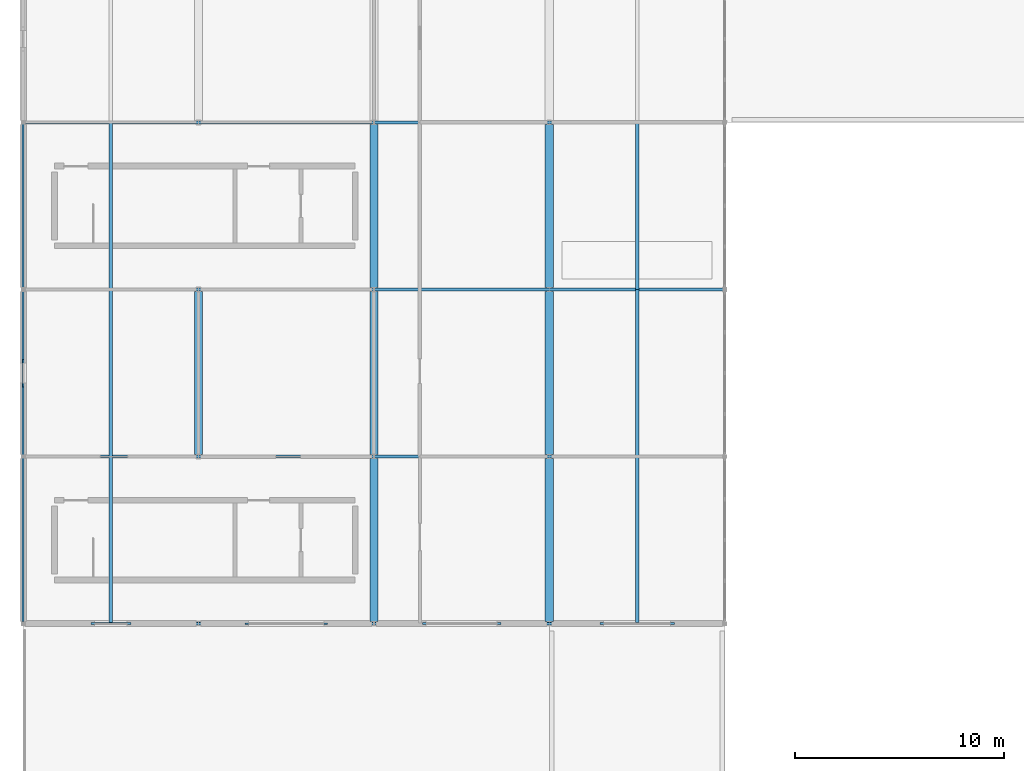
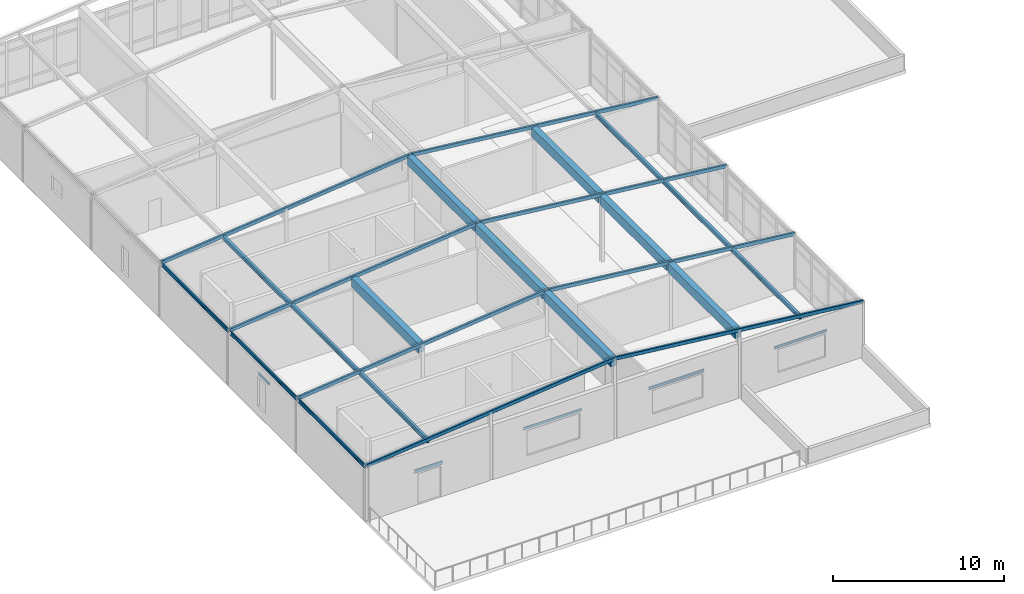
# One storey, part 9 of 25: 21 beams, 8 members.
"""IFC4 building model written with IfcOpenShell, lengths in metres."""

from ifc_helpers import new_model, si_unit, direction, frame, origin, origin_2d, place, context, subcontext, project, spatial, rectangle, hollow_rectangle, i_section, u_section, extrude, material, material_profile, profile_set, type_object, element, save


model = new_model("IFC4")

# Units and contexts
model_context = context("Model", 3, precision=1e-05, world=origin(), true_north=direction((0.0, 1.0)))
body_context = subcontext(model_context, "Body", "Model", "MODEL_VIEW")
ifc_project = project(units=[si_unit("LENGTHUNIT", "METRE"), si_unit("AREAUNIT", "SQUARE_METRE"), si_unit("VOLUMEUNIT", "CUBIC_METRE"), si_unit("PLANEANGLEUNIT", "RADIAN"), si_unit("MASSUNIT", "GRAM", prefix="KILO")], contexts=[model_context])

# Site, building, storey
site_placement = place(None, origin())
site = spatial("IfcSite", under=ifc_project, at=site_placement, CompositionType="ELEMENT")
building_placement = place(site_placement, origin())
building = spatial("IfcBuilding", under=site, at=building_placement, Name="Kranzveld Transit Interchange", CompositionType="ELEMENT")
storey_placement = place(building_placement, frame((0.0, 0.0, 21.0400390625)))
storey = spatial("IfcBuildingStorey", under=building, at=storey_placement, Name="L05", CompositionType="ELEMENT", Elevation=21.0400390625)

# Beams
ifc_material_1 = material(Name="Concrete C35/45", Category="concrete")
ifc_material_profile_1 = material_profile(ifc_material_1, rectangle(XDim=0.39990234375, YDim=0.64990234375, at=origin_2d()), Name="RC 400x650")
ifc_profile_set_1 = profile_set([ifc_material_profile_1], Name="Concrete C35/45")
beam_type_1 = type_object("IfcBeamType", Name="Beam RC 400x650 C35/45", PredefinedType="BEAM", material=ifc_profile_set_1)
for number, where, z_axis, x_axis, name in (
    (1, (8.39990234375, 72.091552734375, 4.494873046875), (0.0, 1.0, 0.0), (-1.0, 0.0, 0.0), "L05 Crown Beam 02/K-L"),
    (2, (16.800048828125, 64.091552734375, 5.39501953125), (0.0, 1.0, 0.0), (-1.0, 0.0, 0.0), "L05 Crown Beam 03/J-K"),
    (3, (16.800048828125, 72.091552734375, 5.39501953125), (0.0, 1.0, 0.0), (-1.0, 0.0, 0.0), "L05 Crown Beam 03/K-L"),
    (4, (16.800048828125, 80.091552734375, 5.39501953125), (0.0, 1.0, 0.0), (-1.0, 0.0, 0.0), "L05 Crown Beam 03/L-M"),
    (5, (25.199951171875, 64.091552734375, 4.494873046875), (0.0, 1.0, 0.0), (-1.0, 0.0, 0.0), "L05 Crown Beam 04/J-K"),
    (6, (25.199951171875, 72.091552734375, 4.494873046875), (0.0, 1.0, 0.0), (-1.0, 0.0, 0.0), "L05 Crown Beam 04/K-L"),
    (7, (25.199951171875, 80.091552734375, 4.494873046875), (0.0, 1.0, 0.0), (-1.0, 0.0, 0.0), "L05 Crown Beam 04/L-M"),
):
    element("IfcBeam", number, at=place(storey_placement, frame(where, z_axis=z_axis, x_axis=x_axis)), inside=storey, type_object=beam_type_1, Name=name, PredefinedType="BEAM", context=body_context, shape_type="SweptSolid", body=[
        extrude(rectangle(XDim=0.39990234375, YDim=0.64990234375, at=origin_2d()), origin(), (0.0, 0.0, 1.0), 7.81689453125),
    ])
ifc_material_2 = material(Name="Steel S355JR", Category="steel")
ifc_material_profile_2 = material_profile(ifc_material_2, u_section(Depth=0.300048828125, FlangeWidth=0.090087890625, WebThickness=0.009033203125, FlangeThickness=0.015380859375, FilletRadius=0.011962890625, at=origin_2d()), Name="PFC 300x90x41")
ifc_profile_set_2 = profile_set([ifc_material_profile_2], Name="Steel S355JR")
beam_type_2 = type_object("IfcBeamType", Name="Edge Spandrel PFC 300x90x41 S355JR", PredefinedType="SPANDREL", material=ifc_profile_set_2)
for number, where, z_axis, x_axis, name in (
    (8, (0.0, 64.090087890625, 3.77001953125), (0.0, 1.0, 0.0), (-1.0, 0.0, 0.0), "L05 Crown Beam 01/J-K"),
    (9, (0.0, 72.080078125, 3.77001953125), (0.0, 1.0, 0.0), (-1.0, 0.0, 0.0), "L05 Crown Beam 01/K-L"),
    (10, (0.0, 80.090087890625, 3.77001953125), (0.0, 1.0, 0.0), (-1.0, 0.0, 0.0), "L05 Crown Beam 01/L-M"),
):
    element("IfcBeam", number, at=place(storey_placement, frame(where, z_axis=z_axis, x_axis=x_axis)), inside=storey, type_object=beam_type_2, Name=name, PredefinedType="SPANDREL", context=body_context, shape_type="SweptSolid", body=[
        extrude(u_section(Depth=0.300048828125, FlangeWidth=0.090087890625, WebThickness=0.009033203125, FlangeThickness=0.015380859375, FilletRadius=0.011962890625, at=origin_2d()), origin(), (0.0, 0.0, 1.0), 7.829833984375),
    ])
ifc_material_3 = material(Name="Steel S355JR", Category="steel")
ifc_material_profile_3 = material_profile(ifc_material_3, u_section(Depth=0.179931640625, FlangeWidth=0.070068359375, WebThickness=0.007080078125, FlangeThickness=0.010986328125, FilletRadius=0.010009765625, at=origin_2d()), Name="PFC 180x70x22")
ifc_profile_set_3 = profile_set([ifc_material_profile_3], Name="Steel S355JR")
beam_type_3 = type_object("IfcBeamType", Name="Masonry Lintel PFC 180x70x22 S355JR", PredefinedType="LINTEL", material=ifc_profile_set_3)
beam_1_placement = place(storey_placement, frame((0.0, 75.340087890625, 2.844970703125), z_axis=(0.0, 1.0, 0.0), x_axis=(-1.0, 0.0, 0.0)))
element("IfcBeam", 11, at=beam_1_placement, inside=storey, type_object=beam_type_3, Name="L05 Window Lintel 217", PredefinedType="LINTEL", context=body_context, shape_type="SweptSolid", body=[
    extrude(u_section(Depth=0.179931640625, FlangeWidth=0.070068359375, WebThickness=0.007080078125, FlangeThickness=0.010986328125, FilletRadius=0.010009765625, at=origin_2d()), origin(), (0.0, 0.0, 1.0), 1.309814453125),
])
beam_2_placement = place(storey_placement, frame((10.6201171875, 64.0, 2.794921875), z_axis=(1.0, 0.0, 0.0), x_axis=(0.0, 1.0, 0.0)))
element("IfcBeam", 12, at=beam_2_placement, inside=storey, type_object=beam_type_3, Name="L05 Window Lintel 221", PredefinedType="LINTEL", context=body_context, shape_type="SweptSolid", body=[
    extrude(u_section(Depth=0.179931640625, FlangeWidth=0.070068359375, WebThickness=0.007080078125, FlangeThickness=0.010986328125, FilletRadius=0.010009765625, at=origin_2d()), origin(), (0.0, 0.0, 1.0), 3.9599609375),
])
ifc_material_4 = material(Name="Steel S355JR", Category="steel")
ifc_material_profile_4 = material_profile(ifc_material_4, u_section(Depth=0.22998046875, FlangeWidth=0.090087890625, WebThickness=0.007568359375, FlangeThickness=0.013916015625, FilletRadius=0.011962890625, at=origin_2d()), Name="PFC 230x90x32")
ifc_profile_set_4 = profile_set([ifc_material_profile_4], Name="Steel S355JR")
beam_type_4 = type_object("IfcBeamType", Name="Masonry Lintel PFC 230x90x32 S355JR", PredefinedType="LINTEL", material=ifc_profile_set_4)
beam_3_placement = place(storey_placement, frame((3.244140625, 64.0, 2.320068359375), z_axis=(1.0, 0.0, 0.0), x_axis=(0.0, 1.0, 0.0)))
element("IfcBeam", 13, at=beam_3_placement, inside=storey, type_object=beam_type_4, Name="L05 Exterior Door Lintel 020", PredefinedType="LINTEL", context=body_context, shape_type="SweptSolid", body=[
    extrude(u_section(Depth=0.22998046875, FlangeWidth=0.090087890625, WebThickness=0.007568359375, FlangeThickness=0.013916015625, FilletRadius=0.011962890625, at=origin_2d()), origin(), (0.0, 0.0, 1.0), 1.909912109375),
])
ifc_material_5 = material(Name="Steel S355JR", Category="steel")
ifc_material_profile_5 = material_profile(ifc_material_5, i_section(OverallWidth=0.091064453125, OverallDepth=0.179931640625, WebThickness=0.00537109375, FlangeThickness=0.008056640625, FilletRadius=0.009033203125, at=origin_2d()), Name="IPE 180")
ifc_profile_set_5 = profile_set([ifc_material_profile_5], Name="Steel S355JR")
beam_type_5 = type_object("IfcBeamType", Name="Opening Lintel IPE 180 S355JR", PredefinedType="LINTEL", material=ifc_profile_set_5)
beam_4_placement = place(storey_placement, frame((27.620849609375, 64.0, 2.64501953125), z_axis=(1.0, 0.0, 0.0), x_axis=(0.0, 1.0, 0.0)))
element("IfcBeam", 14, at=beam_4_placement, inside=storey, type_object=beam_type_5, Name="L05 Window Lintel 223", PredefinedType="LINTEL", context=body_context, shape_type="SweptSolid", body=[
    extrude(i_section(OverallWidth=0.091064453125, OverallDepth=0.179931640625, WebThickness=0.00537109375, FlangeThickness=0.008056640625, FilletRadius=0.009033203125, at=origin_2d()), origin(), (0.0, 0.0, 1.0), 3.56005859375),
])
ifc_material_6 = material(Name="Steel S355JR", Category="steel")
ifc_material_profile_6 = material_profile(ifc_material_6, i_section(OverallWidth=0.10009765625, OverallDepth=0.199951171875, WebThickness=0.005615234375, FlangeThickness=0.008544921875, FilletRadius=0.011962890625, at=origin_2d()), Name="IPE 200")
ifc_profile_set_6 = profile_set([ifc_material_profile_6], Name="Steel S355JR")
beam_type_6 = type_object("IfcBeamType", Name="Opening Lintel IPE 200 S355JR", PredefinedType="LINTEL", material=ifc_profile_set_6)
beam_5_placement = place(storey_placement, frame((19.1201171875, 64.0, 2.705078125), z_axis=(1.0, 0.0, 0.0), x_axis=(0.0, 1.0, 0.0)))
element("IfcBeam", 15, at=beam_5_placement, inside=storey, type_object=beam_type_6, Name="L05 Window Lintel 222", PredefinedType="LINTEL", context=body_context, shape_type="SweptSolid", body=[
    extrude(i_section(OverallWidth=0.10009765625, OverallDepth=0.199951171875, WebThickness=0.005615234375, FlangeThickness=0.008544921875, FilletRadius=0.011962890625, at=origin_2d()), origin(), (0.0, 0.0, 1.0), 3.759765625),
])
ifc_material_7 = material(Name="Steel S355JR", Category="steel")
ifc_material_profile_7 = material_profile(ifc_material_7, i_section(OverallWidth=0.1650390625, OverallDepth=0.303466796875, WebThickness=0.006103515625, FlangeThickness=0.01025390625, FilletRadius=0.0087890625, at=origin_2d()), Name="UB 305x165x40")
ifc_profile_set_7 = profile_set([ifc_material_profile_7], Name="Steel S355JR")
beam_type_7 = type_object("IfcBeamType", Name="Roof Joist UB 305x165x40 S355JR", PredefinedType="JOIST", material=ifc_profile_set_7)
for number, where, z_axis, x_axis, name in (
    (16, (4.199951171875, 64.0, 4.217041015625), (0.0, 1.0, 0.0), (-1.0, 0.0, 0.0), "L05 Crown Roof Joist J-K W"),
    (17, (29.39990234375, 64.0, 4.217041015625), (0.0, 1.0, 0.0), (-1.0, 0.0, 0.0), "L05 Crown Roof Joist J-K E"),
    (18, (4.199951171875, 72.0, 4.217041015625), (0.0, 1.0, 0.0), (-1.0, 0.0, 0.0), "L05 Crown Roof Joist K-L W"),
    (19, (29.39990234375, 72.0, 4.217041015625), (0.0, 1.0, 0.0), (-1.0, 0.0, 0.0), "L05 Crown Roof Joist K-L E"),
    (20, (4.199951171875, 80.0, 4.217041015625), (0.0, 1.0, 0.0), (-1.0, 0.0, 0.0), "L05 Crown Roof Joist L-M W"),
    (21, (29.39990234375, 80.0, 4.217041015625), (0.0, 1.0, 0.0), (-1.0, 0.0, 0.0), "L05 Crown Roof Joist L-M E"),
):
    element("IfcBeam", number, at=place(storey_placement, frame(where, z_axis=z_axis, x_axis=x_axis)), inside=storey, type_object=beam_type_7, Name=name, PredefinedType="JOIST", context=body_context, shape_type="SweptSolid", body=[
        extrude(i_section(OverallWidth=0.1650390625, OverallDepth=0.303466796875, WebThickness=0.006103515625, FlangeThickness=0.01025390625, FilletRadius=0.0087890625, at=origin_2d()), origin(), (0.0, 0.0, 1.0), 8.0),
    ])

# Members
ifc_material_8 = material(Name="Steel S355JR", Category="steel")
ifc_material_profile_8 = material_profile(ifc_material_8, hollow_rectangle(XDim=0.14990234375, YDim=0.25, WallThickness=0.008056640625, InnerFilletRadius=0.011962890625, OuterFilletRadius=0.02001953125, at=origin_2d()), Name="RHS 250x150x8")
ifc_profile_set_8 = profile_set([ifc_material_profile_8], Name="Steel S355JR")
member_type = type_object("IfcMemberType", Name="Truss Chord RHS 250x150x8 S355JR", PredefinedType="CHORD", material=ifc_profile_set_8)
for number, where, z_axis, x_axis, name in (
    (22, (0.0, 64.0, 3.8798828125), (0.994308880598, 0.0, 0.106535674606), (0.0, 1.0, 0.0), "L05 Vaulted Crown Rafter J-W"),
    (23, (16.800048828125, 64.0, 5.679931640625), (0.994308880598, 0.0, -0.106535674606), (0.0, 1.0, 0.0), "L05 Vaulted Crown Rafter J-E"),
    (24, (0.0, 72.0, 3.8798828125), (0.994308880598, 0.0, 0.106535674606), (0.0, 1.0, 0.0), "L05 Vaulted Crown Rafter K-W"),
    (25, (16.800048828125, 72.0, 5.679931640625), (0.994308880598, 0.0, -0.106535674606), (0.0, 1.0, 0.0), "L05 Vaulted Crown Rafter K-E"),
    (26, (0.0, 80.0, 3.8798828125), (0.994308880598, 0.0, 0.106535674606), (0.0, 1.0, 0.0), "L05 Vaulted Crown Rafter L-W"),
    (27, (16.800048828125, 80.0, 5.679931640625), (0.994308880598, 0.0, -0.106535674606), (0.0, 1.0, 0.0), "L05 Vaulted Crown Rafter L-E"),
    (28, (0.0, 88.0, 3.8798828125), (0.994308880598, 0.0, 0.106535674606), (0.0, 1.0, 0.0), "L05 Vaulted Crown Rafter M-W"),
    (29, (16.800048828125, 88.0, 5.679931640625), (0.994308880598, 0.0, -0.106535674606), (0.0, 1.0, 0.0), "L05 Vaulted Crown Rafter M-E"),
):
    element("IfcMember", number, at=place(storey_placement, frame(where, z_axis=z_axis, x_axis=x_axis)), inside=storey, type_object=member_type, Name=name, PredefinedType="CHORD", context=body_context, shape_type="SweptSolid", body=[
        extrude(hollow_rectangle(XDim=0.14990234375, YDim=0.25, WallThickness=0.008056640625, InnerFilletRadius=0.011962890625, OuterFilletRadius=0.02001953125, at=origin_2d()), origin(), (0.0, 0.0, 1.0), 16.896240234375),
    ])

save(model, "model.ifc")
